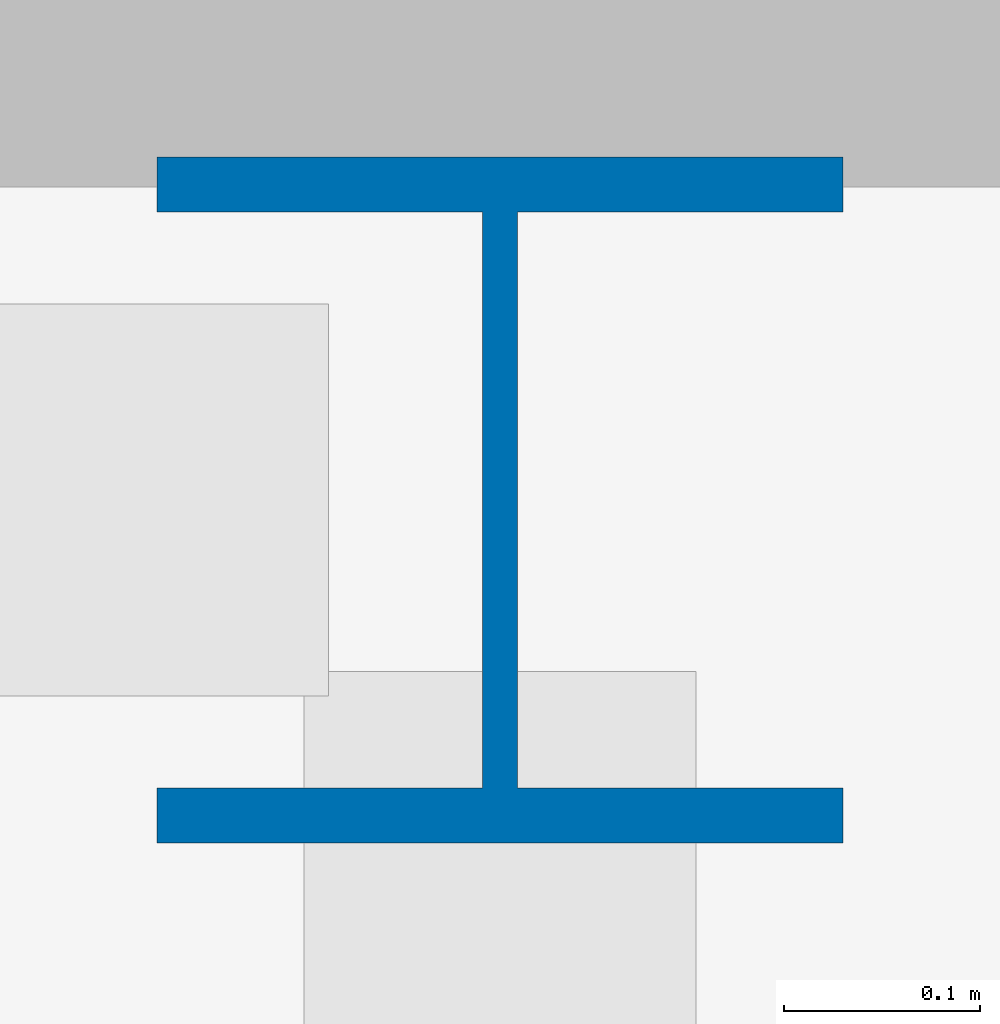
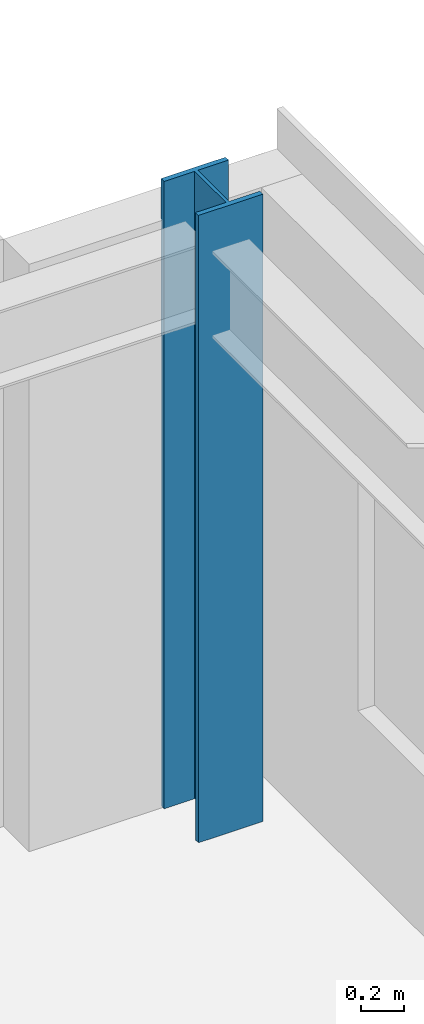
# One storey, part 4 of 23: 1 column.
"""IFC4 building model written with IfcOpenShell, lengths in metres."""

from ifc_helpers import new_model, si_unit, direction, frame, origin, origin_2d, place, context, subcontext, project, spatial, i_section, extrude, source, transform, mapped, material, material_profile, profile_set, type_object, element, save


model = new_model("IFC4")

# Units and contexts
model_context = context("Model", 3, precision=1e-05, world=origin(), true_north=direction((0.0, 1.0)))
body_context = subcontext(model_context, "Body", "Model", "MODEL_VIEW")
ifc_project = project(units=[si_unit("LENGTHUNIT", "METRE"), si_unit("AREAUNIT", "SQUARE_METRE"), si_unit("VOLUMEUNIT", "CUBIC_METRE"), si_unit("PLANEANGLEUNIT", "RADIAN"), si_unit("MASSUNIT", "GRAM", prefix="KILO")], contexts=[model_context])

# Site, building, storey
site_placement = place(None, origin())
site = spatial("IfcSite", under=ifc_project, at=site_placement, CompositionType="ELEMENT")
building_placement = place(site_placement, origin())
building = spatial("IfcBuilding", under=site, at=building_placement, Name="Trelvane Seafront Commons", CompositionType="ELEMENT")
storey_placement = place(building_placement, frame((0.0, 0.0, 266.699951171875)))
storey = spatial("IfcBuildingStorey", under=building, at=storey_placement, Name="L69", CompositionType="ELEMENT", Elevation=266.699951171875)

# Column
ifc_material = material(Name="Steel SM355 (S355)", Category="steel")
ifc_material_profile = material_profile(ifc_material, i_section(OverallWidth=0.35009765625, OverallDepth=0.35009765625, WebThickness=0.01806640625, FlangeThickness=0.028076171875, at=origin_2d()), Name="HD-350x350x18x28")
ifc_profile_set = profile_set([ifc_material_profile], Name="Steel SM355 (S355)")
column_type = type_object("IfcColumnType", Name="STR-COL-HD350", PredefinedType="COLUMN", material=ifc_profile_set)
shared_shape = source(origin(), body_context, "Body", "SweptSolid", [
    extrude(i_section(OverallWidth=0.35009765625, OverallDepth=0.35009765625, WebThickness=0.01806640625, FlangeThickness=0.028076171875, at=origin_2d()), origin(), (0.0, 0.0, 1.0), 3.60009765625),
])
column_placement = place(storey_placement, frame((65.60009765625, 45.10009765625, 0.0), z_axis=(0.0, 0.0, 1.0), x_axis=(1.0, 0.0, 0.0)))
element("IfcColumn", 1, at=column_placement, inside=storey, type_object=column_type, Name="L69 Column TC-CN65.6", PredefinedType="COLUMN", context=body_context, shape_type="MappedRepresentation", body=[
    mapped(shared_shape, transform((0.0, 0.0, 0.0), x_axis=(1.0, 0.0, 0.0), y_axis=(0.0, 1.0, 0.0), z_axis=(0.0, 0.0, 1.0), scale=1.0)),
])

save(model, "model.ifc")
